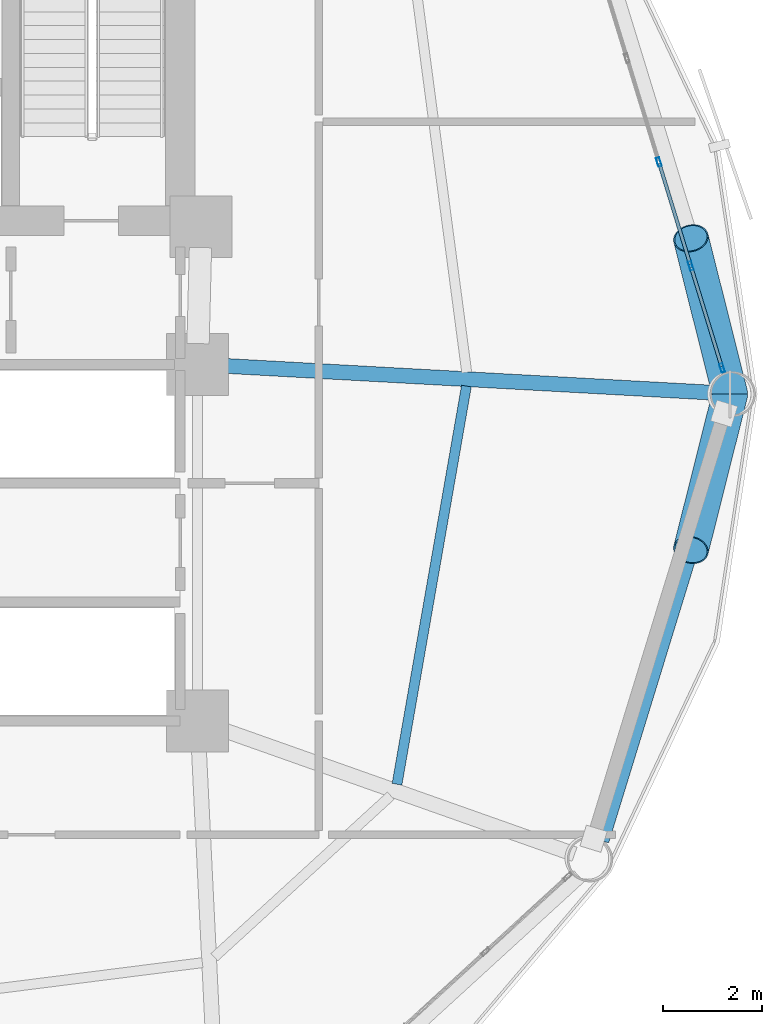
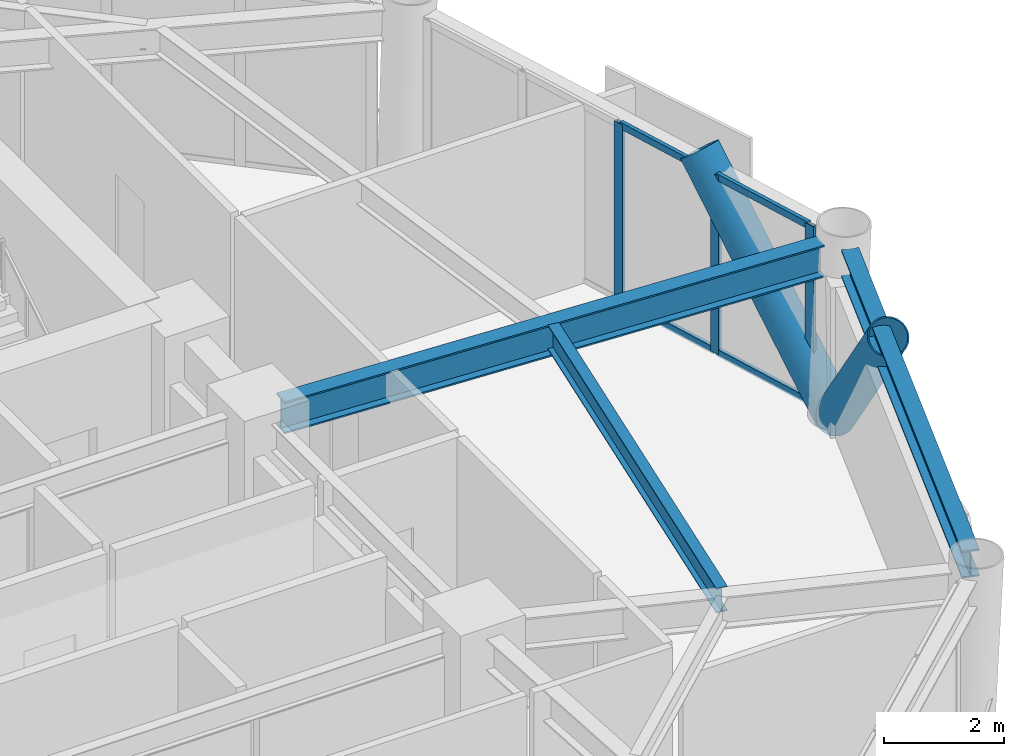
# One storey, part 15 of 25: 9 members, 3 beams, 1 element without a shape of its own.
"""IFC4 building model written with IfcOpenShell, lengths in metres."""

from ifc_helpers import new_model, si_unit, direction, frame, origin, origin_2d, place, context, subcontext, project, spatial, hollow_rectangle, hollow_circle, i_section, extrude, material, layer, layer_set, material_profile, profile_set, type_object, element, aggregate, save


model = new_model("IFC4")

# Units and contexts
model_context = context("Model", 3, precision=1e-05, world=origin(), true_north=direction((0.0, 1.0)))
body_context = subcontext(model_context, "Body", "Model", "MODEL_VIEW")
ifc_project = project(units=[si_unit("LENGTHUNIT", "METRE"), si_unit("AREAUNIT", "SQUARE_METRE"), si_unit("VOLUMEUNIT", "CUBIC_METRE"), si_unit("PLANEANGLEUNIT", "RADIAN"), si_unit("MASSUNIT", "GRAM", prefix="KILO")], contexts=[model_context])

# Site, building, storey
site_placement = place(None, origin())
site = spatial("IfcSite", under=ifc_project, at=site_placement, CompositionType="ELEMENT")
building_placement = place(site_placement, origin())
building = spatial("IfcBuilding", under=site, at=building_placement, Name="Varnakorn Sky Granary", CompositionType="ELEMENT")
storey_placement = place(building_placement, frame((0.0, 0.0, 39.300048828125)))
storey = spatial("IfcBuildingStorey", under=building, at=storey_placement, Name="L09", CompositionType="ELEMENT", Elevation=39.300048828125)

# Beams
ifc_material_1 = material(Name="Steel S355JR", Category="steel")
ifc_material_profile_1 = material_profile(ifc_material_1, i_section(OverallWidth=0.300048828125, OverallDepth=0.64990234375, WebThickness=0.01611328125, FlangeThickness=0.031005859375, at=origin_2d()), Name="HE 650 B")
ifc_profile_set_1 = profile_set([ifc_material_profile_1], Name="Steel S355JR")
beam_type_1 = type_object("IfcBeamType", Name="BM-RAD-Z1", PredefinedType="BEAM", material=ifc_profile_set_1)
beam_1_placement = place(storey_placement, frame((8.769287109375, 0.576904296875, 3.31494140625), z_axis=(0.998497439091, -0.054798395319, 0.0), x_axis=(0.054798395319, 0.998497439091, 0.0)))
element("IfcBeam", 1, at=beam_1_placement, inside=storey, type_object=beam_type_1, Name="Radial Floor Girder RG01 L09", PredefinedType="BEAM", context=body_context, shape_type="SweptSolid", body=[
    extrude(i_section(OverallWidth=0.300048828125, OverallDepth=0.64990234375, WebThickness=0.01611328125, FlangeThickness=0.031005859375, at=origin_2d()), origin(), (0.0, 0.0, 1.0), 10.086669921875),
])
ifc_material_profile_2 = material_profile(ifc_material_1, i_section(OverallWidth=0.199951171875, OverallDepth=0.5, WebThickness=0.01025390625, FlangeThickness=0.01611328125, at=origin_2d()), Name="IPE 500")
ifc_profile_set_2 = profile_set([ifc_material_profile_2], Name="Steel S355JR")
beam_type_2 = type_object("IfcBeamType", Name="BM-SEC-Z1", PredefinedType="BEAM", material=ifc_profile_set_2)
beam_2_placement = place(storey_placement, frame((12.37890625, -7.87939453125, 3.389892578125), z_axis=(0.171756401603, 0.9851394513, 0.0), x_axis=(-0.9851394513, 0.171756401603, 0.0)))
element("IfcBeam", 2, at=beam_2_placement, inside=storey, type_object=beam_type_2, Name="Secondary Floor Chord Beam MSB12 L09", PredefinedType="BEAM", context=body_context, shape_type="SweptSolid", body=[
    extrude(i_section(OverallWidth=0.199951171875, OverallDepth=0.5, WebThickness=0.01025390625, FlangeThickness=0.01611328125, at=origin_2d()), origin(), (0.0, 0.0, 1.0), 8.163330078125),
])
ifc_material_profile_3 = material_profile(ifc_material_1, i_section(OverallWidth=0.300048828125, OverallDepth=0.550048828125, WebThickness=0.014892578125, FlangeThickness=0.029052734375, at=origin_2d()), Name="HE 550 B")
ifc_profile_set_3 = profile_set([ifc_material_profile_3], Name="Steel S355JR")
beam_type_3 = type_object("IfcBeamType", Name="BM-SPD-Z1", PredefinedType="SPANDREL", material=ifc_profile_set_3)
beam_3_placement = place(storey_placement, frame((16.510498046875, -9.01953125, 3.364990234375), z_axis=(0.293719576527, 0.955891631078, 0.0), x_axis=(-0.955891631078, 0.293719576527, 0.0)))
element("IfcBeam", 3, at=beam_3_placement, inside=storey, type_object=beam_type_3, Name="Perimeter Spandrel Ring Beam RB12 L09", PredefinedType="SPANDREL", context=body_context, shape_type="SweptSolid", body=[
    extrude(i_section(OverallWidth=0.300048828125, OverallDepth=0.550048828125, WebThickness=0.014892578125, FlangeThickness=0.029052734375, at=origin_2d()), origin(), (0.0, 0.0, 1.0), 8.99365234375),
])

# Curtain wall, members
ifc_material_2 = material(Name="Anodised Bronze Aluminium Alloy 6063-T6", Category="aluminium")
ifc_layer = layer(ifc_material_2, 0.18994140625, Name="Anodised Bronze Aluminium Alloy 6063-T6")
ifc_layer_set = layer_set([ifc_layer], Name="Anodised Bronze Aluminium Alloy 6063-T6")
curtain_wall_type = type_object("IfcCurtainWallType", Name="CW-FRM-1", PredefinedType="USERDEFINED", material=ifc_layer_set)
curtain_wall_placement = place(storey_placement, origin())
curtain_wall = element("IfcCurtainWall", 4, at=curtain_wall_placement, inside=storey, type_object=curtain_wall_type, Name="Unitised Curtain Wall CW3 CW-L09-B01", ObjectType="CURTAIN WALL", PredefinedType="USERDEFINED")
ifc_material_profile_4 = material_profile(ifc_material_2, hollow_rectangle(XDim=0.070068359375, YDim=0.18505859375, WallThickness=0.00390625, at=origin_2d()), Name="ALU MULL 70x185")
ifc_profile_set_4 = profile_set([ifc_material_profile_4], Name="Anodised Bronze Aluminium Alloy 6063-T6")
member_type_1 = type_object("IfcMemberType", Name="CW-FRM-1-MULL", PredefinedType="MULLION", material=ifc_profile_set_4)
member_1_placement = place(storey_placement, frame((17.667236328125, 4.68701171875, 0.0), z_axis=(0.0, 0.0, 1.0), x_axis=(0.955970574446, 0.293462537291, 0.0)))
member_1 = element("IfcMember", 5, at=member_1_placement, type_object=member_type_1, Name="CW3 mullion 3", PredefinedType="MULLION", context=body_context, shape_type="SweptSolid", body=[
    extrude(hollow_rectangle(XDim=0.070068359375, YDim=0.18505859375, WallThickness=0.00390625, at=origin_2d()), origin(), (0.0, 0.0, 1.0), 3.639892578125),
])
member_2_placement = place(storey_placement, frame((18.310791015625, 2.590576171875, 0.0), z_axis=(0.0, 0.0, 1.0), x_axis=(0.955970574446, 0.293462537291, 0.0)))
member_2 = element("IfcMember", 6, at=member_2_placement, type_object=member_type_1, Name="CW3 mullion 4", PredefinedType="MULLION", context=body_context, shape_type="SweptSolid", body=[
    extrude(hollow_rectangle(XDim=0.070068359375, YDim=0.18505859375, WallThickness=0.00390625, at=origin_2d()), origin(), (0.0, 0.0, 1.0), 3.639892578125),
])
member_3_placement = place(storey_placement, frame((18.944091796875, 0.527587890625, 0.0), z_axis=(0.0, 0.0, 1.0), x_axis=(0.955970574446, 0.293462537291, 0.0)))
member_3 = element("IfcMember", 7, at=member_3_placement, type_object=member_type_1, Name="CW3 mullion 5", PredefinedType="MULLION", context=body_context, shape_type="SweptSolid", body=[
    extrude(hollow_rectangle(XDim=0.070068359375, YDim=0.18505859375, WallThickness=0.00390625, at=origin_2d()), origin(), (0.0, 0.0, 1.0), 3.639892578125),
])
ifc_material_profile_5 = material_profile(ifc_material_2, hollow_rectangle(XDim=0.070068359375, YDim=0.139892578125, WallThickness=0.00341796875, at=origin_2d()), Name="ALU TRAN 70x140")
ifc_profile_set_5 = profile_set([ifc_material_profile_5], Name="Anodised Bronze Aluminium Alloy 6063-T6")
member_type_2 = type_object("IfcMemberType", Name="CW-FRM-1-TRAN", PredefinedType="USERDEFINED", material=ifc_profile_set_5)
member_4_placement = place(storey_placement, frame((17.677490234375, 4.653564453125, 0.034912109375), z_axis=(0.293471643452, -0.955967779002, 0.0), x_axis=(0.955967779002, 0.293471643452, 0.0)))
member_4 = element("IfcMember", 8, at=member_4_placement, type_object=member_type_2, Name="CW3 transom 3.1", ObjectType="TRANSOM", PredefinedType="USERDEFINED", context=body_context, shape_type="SweptSolid", body=[
    extrude(hollow_rectangle(XDim=0.070068359375, YDim=0.139892578125, WallThickness=0.00341796875, at=origin_2d()), origin(), (0.0, 0.0, 1.0), 2.123046875),
])
member_5_placement = place(storey_placement, frame((17.677490234375, 4.653564453125, 3.60498046875), z_axis=(0.293471643452, -0.955967779002, 0.0), x_axis=(0.955967779002, 0.293471643452, 0.0)))
member_5 = element("IfcMember", 9, at=member_5_placement, type_object=member_type_2, Name="CW3 transom 3.2", ObjectType="TRANSOM", PredefinedType="USERDEFINED", context=body_context, shape_type="SweptSolid", body=[
    extrude(hollow_rectangle(XDim=0.070068359375, YDim=0.139892578125, WallThickness=0.00341796875, at=origin_2d()), origin(), (0.0, 0.0, 1.0), 2.123046875),
])
member_6_placement = place(storey_placement, frame((18.321044921875, 2.55712890625, 0.034912109375), z_axis=(0.293477787544, -0.955965892811, 0.0), x_axis=(0.955965892811, 0.293477787544, 0.0)))
member_6 = element("IfcMember", 10, at=member_6_placement, type_object=member_type_2, Name="CW3 transom 4.1", ObjectType="TRANSOM", PredefinedType="USERDEFINED", context=body_context, shape_type="SweptSolid", body=[
    extrude(hollow_rectangle(XDim=0.070068359375, YDim=0.139892578125, WallThickness=0.00341796875, at=origin_2d()), origin(), (0.0, 0.0, 1.0), 2.088134765625),
])
member_7_placement = place(storey_placement, frame((18.321044921875, 2.55712890625, 3.60498046875), z_axis=(0.293477787544, -0.955965892811, 0.0), x_axis=(0.955965892811, 0.293477787544, 0.0)))
member_7 = element("IfcMember", 11, at=member_7_placement, type_object=member_type_2, Name="CW3 transom 4.2", ObjectType="TRANSOM", PredefinedType="USERDEFINED", context=body_context, shape_type="SweptSolid", body=[
    extrude(hollow_rectangle(XDim=0.070068359375, YDim=0.139892578125, WallThickness=0.00341796875, at=origin_2d()), origin(), (0.0, 0.0, 1.0), 2.088134765625),
])
aggregate(curtain_wall, [member_1, member_2, member_3, member_4, member_5, member_6, member_7])

# Members
ifc_material_3 = material(Name="Steel S460M", Category="steel")
ifc_material_profile_6 = material_profile(ifc_material_3, hollow_circle(Radius=0.35546875, WallThickness=0.02490234375, at=origin_2d()), Name="CHS 711x25")
ifc_profile_set_6 = profile_set([ifc_material_profile_6], Name="Steel S460M")
member_type_3 = type_object("IfcMemberType", Name="MB-DIAG-T0", PredefinedType="BRACE", material=ifc_profile_set_6)
for number, where, z_axis, x_axis, name in (
    (12, (19.10595703125, 0.0, 0.0), (-0.158536161733, 0.630768413858, 0.759603510723), (-0.969836371313, -0.243756872473, 0.0), "Perimeter CHS Diagrid Brace DG01 L09"),
    (13, (19.10595703125, 0.0, 0.0), (-0.158536161733, -0.630768413858, 0.759603510723), (0.969836371313, -0.243756872473, 0.0), "Perimeter CHS Diagrid Brace DG12 L09"),
):
    element("IfcMember", number, at=place(storey_placement, frame(where, z_axis=z_axis, x_axis=x_axis)), inside=storey, type_object=member_type_3, Name=name, PredefinedType="BRACE", context=body_context, shape_type="SweptSolid", body=[
        extrude(hollow_circle(Radius=0.35546875, WallThickness=0.02490234375, at=origin_2d()), origin(), (0.0, 0.0, 1.0), 4.989501953125),
    ])

save(model, "model.ifc")
